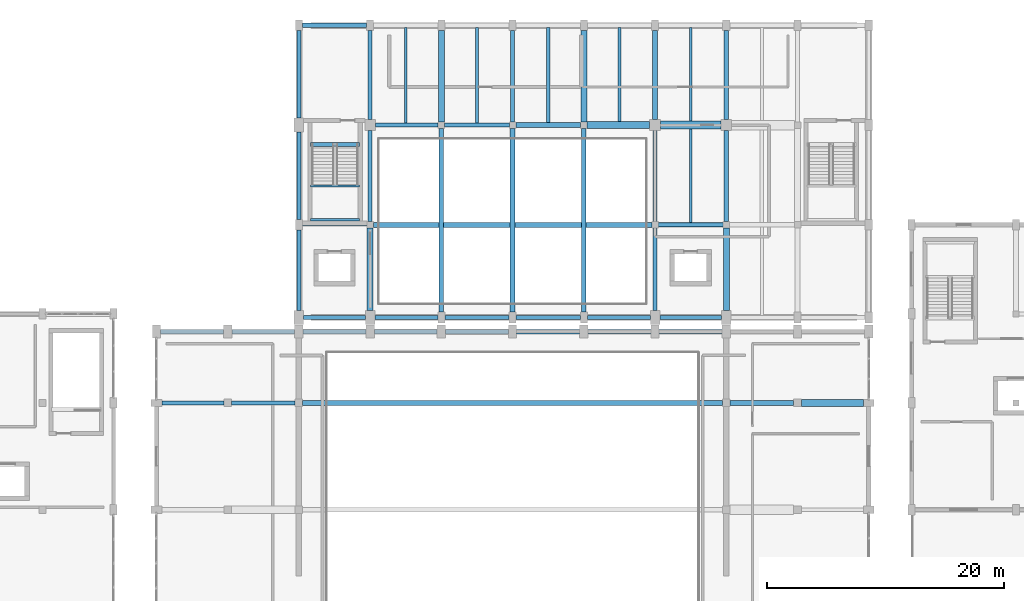
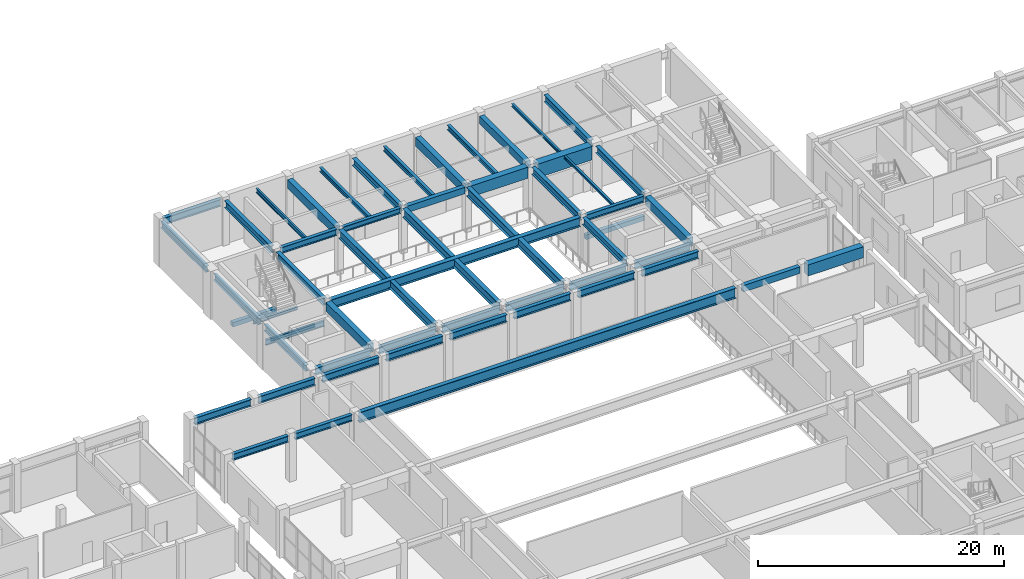
# One storey, part 26 of 62: 56 beams.
"""IFC4 building model written with IfcOpenShell, lengths in metres."""

from ifc_helpers import new_model, si_unit, direction, frame, origin, origin_2d, place, context, subcontext, project, spatial, rectangle, i_section, extrude, material, material_profile, profile_set, type_object, element, save


model = new_model("IFC4")

# Units and contexts
model_context = context("Model", 3, precision=1e-05, world=origin(), true_north=direction((0.0, 1.0)))
body_context = subcontext(model_context, "Body", "Model", "MODEL_VIEW")
ifc_project = project(units=[si_unit("LENGTHUNIT", "METRE"), si_unit("AREAUNIT", "SQUARE_METRE"), si_unit("VOLUMEUNIT", "CUBIC_METRE"), si_unit("PLANEANGLEUNIT", "RADIAN"), si_unit("MASSUNIT", "GRAM", prefix="KILO")], contexts=[model_context])

# Site, building, storey
site_placement = place(None, origin())
site = spatial("IfcSite", under=ifc_project, at=site_placement, CompositionType="ELEMENT")
building_placement = place(site_placement, origin())
building = spatial("IfcBuilding", under=site, at=building_placement, Name="Vaelkrest Opera House", CompositionType="ELEMENT")
storey_placement = place(building_placement, frame((0.0, 0.0, 19.800048828125)))
storey = spatial("IfcBuildingStorey", under=building, at=storey_placement, Name="L04", CompositionType="ELEMENT", Elevation=19.800048828125)

# Beams
ifc_material_1 = material(Name="Concrete C50/60", Category="concrete")
ifc_material_profile_1 = material_profile(ifc_material_1, rectangle(XDim=0.39990234375, YDim=0.64990234375, at=origin_2d()), Name="RCB400X650")
ifc_profile_set_1 = profile_set([ifc_material_profile_1], Name="Concrete C50/60")
beam_type_1 = type_object("IfcBeamType", Name="B01", PredefinedType="BEAM", material=ifc_profile_set_1)
beam_1_placement = place(storey_placement, frame((18.324951171875, 10.199951171875, 4.179931640625), z_axis=(1.0, 0.0, 0.0), x_axis=(0.0, 1.0, 0.0)))
element("IfcBeam", 1, at=beam_1_placement, inside=storey, type_object=beam_type_1, Name="Beam BM-V1-L04-0565", PredefinedType="BEAM", context=body_context, shape_type="SweptSolid", body=[
    extrude(rectangle(XDim=0.39990234375, YDim=0.64990234375, at=origin_2d()), origin(), (0.0, 0.0, 1.0), 5.35009765625),
])
beam_2_placement = place(storey_placement, frame((0.27490234375, 33.60009765625, 4.179931640625), z_axis=(1.0, 0.0, 0.0), x_axis=(0.0, 1.0, 0.0)))
element("IfcBeam", 2, at=beam_2_placement, inside=storey, type_object=beam_type_1, Name="Beam BM-V2-L04-1101", PredefinedType="BEAM", context=body_context, shape_type="SweptSolid", body=[
    extrude(rectangle(XDim=0.39990234375, YDim=0.64990234375, at=origin_2d()), origin(), (0.0, 0.0, 1.0), 5.4501953125),
])
ifc_material_profile_2 = material_profile(ifc_material_1, rectangle(XDim=0.449951171875, YDim=0.75, at=origin_2d()), Name="RCB450X750")
ifc_profile_set_2 = profile_set([ifc_material_profile_2], Name="Concrete C50/60")
beam_type_2 = type_object("IfcBeamType", Name="B02", PredefinedType="BEAM", material=ifc_profile_set_2)
beam_3_placement = place(storey_placement, frame((12.0, 34.050048828125, 4.1298828125), z_axis=(0.0, 1.0, 0.0), x_axis=(-1.0, 0.0, 0.0)))
element("IfcBeam", 3, at=beam_3_placement, inside=storey, type_object=beam_type_2, Name="Beam BM-V2-L04-1127", PredefinedType="BEAM", context=body_context, shape_type="SweptSolid", body=[
    extrude(rectangle(XDim=0.449951171875, YDim=0.75, at=origin_2d()), origin(), (0.0, 0.0, 1.0), 7.5),
])
ifc_material_profile_3 = material_profile(ifc_material_1, rectangle(XDim=0.5, YDim=0.85009765625, at=origin_2d()), Name="RCB500X850")
ifc_profile_set_3 = profile_set([ifc_material_profile_3], Name="Concrete C50/60")
beam_type_3 = type_object("IfcBeamType", Name="B03", PredefinedType="BEAM", material=ifc_profile_set_3)
beam_4_placement = place(storey_placement, frame((-12.0, 18.0, 4.079833984375), z_axis=(0.0, 1.0, 0.0), x_axis=(-1.0, 0.0, 0.0)))
element("IfcBeam", 4, at=beam_4_placement, inside=storey, type_object=beam_type_3, Name="Beam BM-V2-L04-1116", PredefinedType="BEAM", context=body_context, shape_type="SweptSolid", body=[
    extrude(rectangle(XDim=0.5, YDim=0.85009765625, at=origin_2d()), origin(), (0.0, 0.0, 1.0), 6.925048828125),
])
for number, where, z_axis, x_axis, name in (
    (5, (-6.0, 33.875, 4.079833984375), (0.0, 1.0, 0.0), (-1.0, 0.0, 0.0), "Beam BM-V2-L04-1120"),
    (6, (6.0, 33.875, 4.079833984375), (0.0, 1.0, 0.0), (-1.0, 0.0, 0.0), "Beam BM-V2-L04-1124"),
):
    element("IfcBeam", number, at=place(storey_placement, frame(where, z_axis=z_axis, x_axis=x_axis)), inside=storey, type_object=beam_type_3, Name=name, PredefinedType="BEAM", context=body_context, shape_type="SweptSolid", body=[
        extrude(rectangle(XDim=0.5, YDim=0.85009765625, at=origin_2d()), origin(), (0.0, 0.0, 1.0), 7.675048828125),
    ])
beam_5_placement = place(storey_placement, frame((18.0, 18.0, 4.079833984375), z_axis=(0.0, 1.0, 0.0), x_axis=(-1.0, 0.0, 0.0)))
element("IfcBeam", 7, at=beam_5_placement, inside=storey, type_object=beam_type_3, Name="Beam BM-V2-L04-1128", PredefinedType="BEAM", context=body_context, shape_type="SweptSolid", body=[
    extrude(rectangle(XDim=0.5, YDim=0.85009765625, at=origin_2d()), origin(), (0.0, 0.0, 1.0), 6.925048828125),
])
ifc_material_profile_4 = material_profile(ifc_material_1, rectangle(XDim=0.60009765625, YDim=1.10009765625, at=origin_2d()), Name="RCB600X1100")
ifc_profile_set_4 = profile_set([ifc_material_profile_4], Name="Concrete C50/60")
beam_type_4 = type_object("IfcBeamType", Name="B05", PredefinedType="BEAM", material=ifc_profile_set_4)
beam_6_placement = place(storey_placement, frame((24.324951171875, 10.199951171875, 3.954833984375), z_axis=(1.0, 0.0, 0.0), x_axis=(0.0, 1.0, 0.0)))
element("IfcBeam", 8, at=beam_6_placement, inside=storey, type_object=beam_type_4, Name="Beam BM-V1-L04-0566", PredefinedType="BEAM", context=body_context, shape_type="SweptSolid", body=[
    extrude(rectangle(XDim=0.60009765625, YDim=1.10009765625, at=origin_2d()), origin(), (0.0, 0.0, 1.0), 5.22509765625),
])
beam_7_placement = place(storey_placement, frame((6.27490234375, 33.60009765625, 3.954833984375), z_axis=(1.0, 0.0, 0.0), x_axis=(0.0, 1.0, 0.0)))
element("IfcBeam", 9, at=beam_7_placement, inside=storey, type_object=beam_type_4, Name="Beam BM-V2-L04-1102", PredefinedType="BEAM", context=body_context, shape_type="SweptSolid", body=[
    extrude(rectangle(XDim=0.60009765625, YDim=1.10009765625, at=origin_2d()), origin(), (0.0, 0.0, 1.0), 5.275146484375),
])
ifc_material_profile_5 = material_profile(ifc_material_1, rectangle(XDim=0.699951171875, YDim=1.35009765625, at=origin_2d()), Name="RCB700X1350")
ifc_profile_set_5 = profile_set([ifc_material_profile_5], Name="Concrete C50/60")
beam_type_5 = type_object("IfcBeamType", Name="B06", PredefinedType="BEAM", material=ifc_profile_set_5)
beam_8_placement = place(storey_placement, frame((12.449951171875, 33.60009765625, 3.829833984375), z_axis=(1.0, 0.0, 0.0), x_axis=(0.0, 1.0, 0.0)))
element("IfcBeam", 10, at=beam_8_placement, inside=storey, type_object=beam_type_5, Name="Beam BM-V2-L04-1103", PredefinedType="BEAM", context=body_context, shape_type="SweptSolid", body=[
    extrude(rectangle(XDim=0.699951171875, YDim=1.35009765625, at=origin_2d()), origin(), (0.0, 0.0, 1.0), 5.10009765625),
])
ifc_material_2 = material(Name="Steel A992 Gr50", Category="steel")
ifc_material_profile_6 = material_profile(ifc_material_2, i_section(OverallWidth=0.323974609375, OverallDepth=0.611083984375, WebThickness=0.0126953125, FlangeThickness=0.01904296875, at=origin_2d()), Name="W24X104")
ifc_profile_set_6 = profile_set([ifc_material_profile_6], Name="Steel A992 Gr50")
beam_type_6 = type_object("IfcBeamType", Name="B08", PredefinedType="BEAM", material=ifc_profile_set_6)
beam_9_placement = place(storey_placement, frame((12.27490234375, 25.199951171875, 4.199462890625), z_axis=(1.0, 0.0, 0.0), x_axis=(0.0, 1.0, 0.0)))
element("IfcBeam", 11, at=beam_9_placement, inside=storey, type_object=beam_type_6, Name="Beam BM-V2-L04-1097", PredefinedType="BEAM", context=body_context, shape_type="SweptSolid", body=[
    extrude(i_section(OverallWidth=0.323974609375, OverallDepth=0.611083984375, WebThickness=0.0126953125, FlangeThickness=0.01904296875, at=origin_2d()), origin(), (0.0, 0.0, 1.0), 5.4501953125),
])
ifc_material_profile_7 = material_profile(ifc_material_2, i_section(OverallWidth=0.327880859375, OverallDepth=0.6279296875, WebThickness=0.0166015625, FlangeThickness=0.027587890625, at=origin_2d()), Name="W24X146")
ifc_profile_set_7 = profile_set([ifc_material_profile_7], Name="Steel A992 Gr50")
beam_type_7 = type_object("IfcBeamType", Name="B09", PredefinedType="BEAM", material=ifc_profile_set_7)
beam_10_placement = place(storey_placement, frame((-29.550048828125, 10.199951171875, 4.19091796875), z_axis=(1.0, 0.0, 0.0), x_axis=(0.0, 1.0, 0.0)))
element("IfcBeam", 12, at=beam_10_placement, inside=storey, type_object=beam_type_7, Name="Beam BM-V1-L04-0562", PredefinedType="BEAM", context=body_context, shape_type="SweptSolid", body=[
    extrude(i_section(OverallWidth=0.327880859375, OverallDepth=0.6279296875, WebThickness=0.0166015625, FlangeThickness=0.027587890625, at=origin_2d()), origin(), (0.0, 0.0, 1.0), 5.22509765625),
])
ifc_material_profile_8 = material_profile(ifc_material_2, i_section(OverallWidth=0.35498046875, OverallDepth=0.695068359375, WebThickness=0.015380859375, FlangeThickness=0.02490234375, at=origin_2d()), Name="W27X146")
ifc_profile_set_8 = profile_set([ifc_material_profile_8], Name="Steel A992 Gr50")
beam_type_8 = type_object("IfcBeamType", Name="B10", PredefinedType="BEAM", material=ifc_profile_set_8)
beam_11_placement = place(storey_placement, frame((-12.0, 25.47509765625, 4.157470703125), z_axis=(0.0, 1.0, 0.0), x_axis=(-1.0, 0.0, 0.0)))
element("IfcBeam", 13, at=beam_11_placement, inside=storey, type_object=beam_type_8, Name="Beam BM-V2-L04-1117", PredefinedType="BEAM", context=body_context, shape_type="SweptSolid", body=[
    extrude(i_section(OverallWidth=0.35498046875, OverallDepth=0.695068359375, WebThickness=0.015380859375, FlangeThickness=0.02490234375, at=origin_2d()), origin(), (0.0, 0.0, 1.0), 7.6748046875),
])
beam_12_placement = place(storey_placement, frame((12.0, 18.0, 4.157470703125), z_axis=(0.0, 1.0, 0.0), x_axis=(-1.0, 0.0, 0.0)))
element("IfcBeam", 14, at=beam_12_placement, inside=storey, type_object=beam_type_8, Name="Beam BM-V2-L04-1125", PredefinedType="BEAM", context=body_context, shape_type="SweptSolid", body=[
    extrude(i_section(OverallWidth=0.35498046875, OverallDepth=0.695068359375, WebThickness=0.015380859375, FlangeThickness=0.02490234375, at=origin_2d()), origin(), (0.0, 0.0, 1.0), 6.925048828125),
])
beam_13_placement = place(storey_placement, frame((18.0, 25.47509765625, 4.157470703125), z_axis=(0.0, 1.0, 0.0), x_axis=(-1.0, 0.0, 0.0)))
element("IfcBeam", 15, at=beam_13_placement, inside=storey, type_object=beam_type_8, Name="Beam BM-V2-L04-1129", PredefinedType="BEAM", context=body_context, shape_type="SweptSolid", body=[
    extrude(i_section(OverallWidth=0.35498046875, OverallDepth=0.695068359375, WebThickness=0.015380859375, FlangeThickness=0.02490234375, at=origin_2d()), origin(), (0.0, 0.0, 1.0), 7.6748046875),
])
ifc_material_profile_9 = material_profile(ifc_material_2, i_section(OverallWidth=0.39892578125, OverallDepth=0.85498046875, WebThickness=0.018310546875, FlangeThickness=0.029296875, at=origin_2d()), Name="W33X201")
ifc_profile_set_9 = profile_set([ifc_material_profile_9], Name="Steel A992 Gr50")
beam_type_9 = type_object("IfcBeamType", Name="B12", PredefinedType="BEAM", material=ifc_profile_set_9)
for number, where, z_axis, x_axis, name in (
    (16, (-6.0, 17.85009765625, 4.077392578125), (0.0, 1.0, 0.0), (-1.0, 0.0, 0.0), "Beam BM-V2-L04-1119"),
    (17, (0.0, 17.85009765625, 4.077392578125), (0.0, 1.0, 0.0), (-1.0, 0.0, 0.0), "Beam BM-V2-L04-1121"),
    (18, (6.0, 17.85009765625, 4.077392578125), (0.0, 1.0, 0.0), (-1.0, 0.0, 0.0), "Beam BM-V2-L04-1123"),
):
    element("IfcBeam", number, at=place(storey_placement, frame(where, z_axis=z_axis, x_axis=x_axis)), inside=storey, type_object=beam_type_9, Name=name, PredefinedType="BEAM", context=body_context, shape_type="SweptSolid", body=[
        extrude(i_section(OverallWidth=0.39892578125, OverallDepth=0.85498046875, WebThickness=0.018310546875, FlangeThickness=0.029296875, at=origin_2d()), origin(), (0.0, 0.0, 1.0), 15.474853515625),
    ])
ifc_material_profile_10 = material_profile(ifc_material_2, i_section(OverallWidth=0.41796875, OverallDepth=0.927001953125, WebThickness=0.019287109375, FlangeThickness=0.031982421875, at=origin_2d()), Name="W36X231")
ifc_profile_set_10 = profile_set([ifc_material_profile_10], Name="Steel A992 Gr50")
beam_type_10 = type_object("IfcBeamType", Name="B13", PredefinedType="BEAM", material=ifc_profile_set_10)
beam_14_placement = place(storey_placement, frame((-11.72509765625, 25.199951171875, 4.04150390625), z_axis=(1.0, 0.0, 0.0), x_axis=(0.0, 1.0, 0.0)))
element("IfcBeam", 19, at=beam_14_placement, inside=storey, type_object=beam_type_10, Name="Beam BM-V2-L04-1096", PredefinedType="BEAM", context=body_context, shape_type="SweptSolid", body=[
    extrude(i_section(OverallWidth=0.41796875, OverallDepth=0.927001953125, WebThickness=0.019287109375, FlangeThickness=0.031982421875, at=origin_2d()), origin(), (0.0, 0.0, 1.0), 23.4501953125),
])
ifc_material_profile_11 = material_profile(ifc_material_2, i_section(OverallWidth=0.35791015625, OverallDepth=0.7060546875, WebThickness=0.018310546875, FlangeThickness=0.0302734375, at=origin_2d()), Name="W27X178")
ifc_profile_set_11 = profile_set([ifc_material_profile_11], Name="Steel A992 Gr50")
beam_type_11 = type_object("IfcBeamType", Name="B14", PredefinedType="BEAM", material=ifc_profile_set_11)
beam_15_placement = place(storey_placement, frame((-12.0, 34.050048828125, 4.15185546875), z_axis=(0.0, 1.0, 0.0), x_axis=(-1.0, 0.0, 0.0)))
element("IfcBeam", 20, at=beam_15_placement, inside=storey, type_object=beam_type_11, Name="Beam BM-V2-L04-1118", PredefinedType="BEAM", context=body_context, shape_type="SweptSolid", body=[
    extrude(i_section(OverallWidth=0.35791015625, OverallDepth=0.7060546875, WebThickness=0.018310546875, FlangeThickness=0.0302734375, at=origin_2d()), origin(), (0.0, 0.0, 1.0), 7.5),
])
beam_16_placement = place(storey_placement, frame((0.0, 33.875, 4.15185546875), z_axis=(0.0, 1.0, 0.0), x_axis=(-1.0, 0.0, 0.0)))
element("IfcBeam", 21, at=beam_16_placement, inside=storey, type_object=beam_type_11, Name="Beam BM-V2-L04-1122", PredefinedType="BEAM", context=body_context, shape_type="SweptSolid", body=[
    extrude(i_section(OverallWidth=0.35791015625, OverallDepth=0.7060546875, WebThickness=0.018310546875, FlangeThickness=0.0302734375, at=origin_2d()), origin(), (0.0, 0.0, 1.0), 7.675048828125),
])
beam_17_placement = place(storey_placement, frame((12.0, 25.47509765625, 4.15185546875), z_axis=(0.0, 1.0, 0.0), x_axis=(-1.0, 0.0, 0.0)))
element("IfcBeam", 22, at=beam_17_placement, inside=storey, type_object=beam_type_11, Name="Beam BM-V2-L04-1126", PredefinedType="BEAM", context=body_context, shape_type="SweptSolid", body=[
    extrude(i_section(OverallWidth=0.35791015625, OverallDepth=0.7060546875, WebThickness=0.018310546875, FlangeThickness=0.0302734375, at=origin_2d()), origin(), (0.0, 0.0, 1.0), 7.6748046875),
])
beam_18_placement = place(storey_placement, frame((18.0, 34.050048828125, 4.15185546875), z_axis=(0.0, 1.0, 0.0), x_axis=(-1.0, 0.0, 0.0)))
element("IfcBeam", 23, at=beam_18_placement, inside=storey, type_object=beam_type_11, Name="Beam BM-V2-L04-1130", PredefinedType="BEAM", context=body_context, shape_type="SweptSolid", body=[
    extrude(i_section(OverallWidth=0.35791015625, OverallDepth=0.7060546875, WebThickness=0.018310546875, FlangeThickness=0.0302734375, at=origin_2d()), origin(), (0.0, 0.0, 1.0), 7.5),
])
ifc_material_profile_12 = material_profile(ifc_material_2, i_section(OverallWidth=0.39990234375, OverallDepth=1.02197265625, WebThickness=0.01904296875, FlangeThickness=0.0361328125, at=origin_2d()), Name="W40X249")
ifc_profile_set_12 = profile_set([ifc_material_profile_12], Name="Steel A992 Gr50")
beam_type_12 = type_object("IfcBeamType", Name="B15", PredefinedType="BEAM", material=ifc_profile_set_12)
beam_19_placement = place(storey_placement, frame((-17.675048828125, 10.199951171875, 3.993896484375), z_axis=(1.0, 0.0, 0.0), x_axis=(0.0, 1.0, 0.0)))
element("IfcBeam", 24, at=beam_19_placement, inside=storey, type_object=beam_type_12, Name="Beam BM-V1-L04-0564", PredefinedType="BEAM", context=body_context, shape_type="SweptSolid", body=[
    extrude(i_section(OverallWidth=0.39990234375, OverallDepth=1.02197265625, WebThickness=0.01904296875, FlangeThickness=0.0361328125, at=origin_2d()), origin(), (0.0, 0.0, 1.0), 35.35009765625),
])
ifc_material_profile_13 = material_profile(ifc_material_2, i_section(OverallWidth=0.326904296875, OverallDepth=0.6220703125, WebThickness=0.015380859375, FlangeThickness=0.0244140625, at=origin_2d()), Name="W24X131")
ifc_profile_set_13 = profile_set([ifc_material_profile_13], Name="Steel A992 Gr50")
beam_type_13 = type_object("IfcBeamType", Name="B19", PredefinedType="BEAM", material=ifc_profile_set_13)
beam_20_placement = place(storey_placement, frame((-23.675048828125, 10.199951171875, 4.19384765625), z_axis=(1.0, 0.0, 0.0), x_axis=(0.0, 1.0, 0.0)))
element("IfcBeam", 25, at=beam_20_placement, inside=storey, type_object=beam_type_13, Name="Beam BM-V1-L04-0563", PredefinedType="BEAM", context=body_context, shape_type="SweptSolid", body=[
    extrude(i_section(OverallWidth=0.326904296875, OverallDepth=0.6220703125, WebThickness=0.015380859375, FlangeThickness=0.0244140625, at=origin_2d()), origin(), (0.0, 0.0, 1.0), 5.35009765625),
])
beam_21_placement = place(storey_placement, frame((-11.550048828125, 33.60009765625, 4.19384765625), z_axis=(1.0, 0.0, 0.0), x_axis=(0.0, 1.0, 0.0)))
element("IfcBeam", 26, at=beam_21_placement, inside=storey, type_object=beam_type_13, Name="Beam BM-V2-L04-1099", PredefinedType="BEAM", context=body_context, shape_type="SweptSolid", body=[
    extrude(i_section(OverallWidth=0.326904296875, OverallDepth=0.6220703125, WebThickness=0.015380859375, FlangeThickness=0.0244140625, at=origin_2d()), origin(), (0.0, 0.0, 1.0), 5.275146484375),
])
ifc_material_profile_14 = material_profile(ifc_material_2, i_section(OverallWidth=0.31494140625, OverallDepth=0.551025390625, WebThickness=0.01513671875, FlangeThickness=0.0244140625, at=origin_2d()), Name="W21X122")
ifc_profile_set_14 = profile_set([ifc_material_profile_14], Name="Steel A992 Gr50")
beam_type_14 = type_object("IfcBeamType", Name="B20", PredefinedType="BEAM", material=ifc_profile_set_14)
beam_22_placement = place(storey_placement, frame((-5.72509765625, 33.60009765625, 4.2294921875), z_axis=(1.0, 0.0, 0.0), x_axis=(0.0, 1.0, 0.0)))
element("IfcBeam", 27, at=beam_22_placement, inside=storey, type_object=beam_type_14, Name="Beam BM-V2-L04-1100", PredefinedType="BEAM", context=body_context, shape_type="SweptSolid", body=[
    extrude(i_section(OverallWidth=0.31494140625, OverallDepth=0.551025390625, WebThickness=0.01513671875, FlangeThickness=0.0244140625, at=origin_2d()), origin(), (0.0, 0.0, 1.0), 5.4501953125),
])
ifc_material_profile_15 = material_profile(ifc_material_2, i_section(OverallWidth=0.2041015625, OverallDepth=0.257080078125, WebThickness=0.0087890625, FlangeThickness=0.015625, at=origin_2d()), Name="W10X45")
ifc_profile_set_15 = profile_set([ifc_material_profile_15], Name="Steel A992 Gr50")
beam_type_15 = type_object("IfcBeamType", Name="J01", PredefinedType="JOIST", material=ifc_profile_set_15)
beam_23_placement = place(storey_placement, frame((15.0, 25.362060546875, 4.37646484375), z_axis=(0.0, 1.0, 0.0), x_axis=(-1.0, 0.0, 0.0)))
element("IfcBeam", 28, at=beam_23_placement, inside=storey, type_object=beam_type_15, Name="Floor joist JST-V2-L04-1141", PredefinedType="JOIST", context=body_context, shape_type="SweptSolid", body=[
    extrude(i_section(OverallWidth=0.2041015625, OverallDepth=0.257080078125, WebThickness=0.0087890625, FlangeThickness=0.015625, at=origin_2d()), origin(), (0.0, 0.0, 1.0), 7.887939453125),
])
ifc_material_profile_16 = material_profile(ifc_material_2, i_section(OverallWidth=0.202880859375, OverallDepth=0.302978515625, WebThickness=0.007568359375, FlangeThickness=0.01318359375, at=origin_2d()), Name="W12X40")
ifc_profile_set_16 = profile_set([ifc_material_profile_16], Name="Steel A992 Gr50")
beam_type_16 = type_object("IfcBeamType", Name="J02", PredefinedType="JOIST", material=ifc_profile_set_16)
beam_24_placement = place(storey_placement, frame((15.0, 33.949951171875, 4.353515625), z_axis=(0.0, 1.0, 0.0), x_axis=(-1.0, 0.0, 0.0)))
element("IfcBeam", 29, at=beam_24_placement, inside=storey, type_object=beam_type_16, Name="Floor joist JST-V2-L04-1142", PredefinedType="JOIST", context=body_context, shape_type="SweptSolid", body=[
    extrude(i_section(OverallWidth=0.202880859375, OverallDepth=0.302978515625, WebThickness=0.007568359375, FlangeThickness=0.01318359375, at=origin_2d()), origin(), (0.0, 0.0, 1.0), 7.87255859375),
])
for number, where, z_axis, x_axis, name in (
    (30, (-17.02001953125, 25.6201171875, 2.04833984375), (1.0, 0.0, 0.0), (0.0, 1.0, 0.0), "Stair landing bearer beam ST05 L04-1N"),
    (31, (-17.02001953125, 28.469970703125, 2.04833984375), (1.0, 0.0, 0.0), (0.0, 1.0, 0.0), "Stair landing bearer beam ST05 L04-1F"),
):
    element("IfcBeam", number, at=place(storey_placement, frame(where, z_axis=z_axis, x_axis=x_axis)), inside=storey, type_object=beam_type_16, Name=name, PredefinedType="JOIST", context=body_context, shape_type="SweptSolid", body=[
        extrude(i_section(OverallWidth=0.202880859375, OverallDepth=0.302978515625, WebThickness=0.007568359375, FlangeThickness=0.01318359375, at=origin_2d()), origin(), (0.0, 0.0, 1.0), 4.14013671875),
    ])
ifc_material_profile_17 = material_profile(ifc_material_2, i_section(OverallWidth=0.180908203125, OverallDepth=0.4169921875, WebThickness=0.010986328125, FlangeThickness=0.018310546875, at=origin_2d()), Name="W16X57")
ifc_profile_set_17 = profile_set([ifc_material_profile_17], Name="Steel A992 Gr50")
beam_type_17 = type_object("IfcBeamType", Name="J07", PredefinedType="JOIST", material=ifc_profile_set_17)
beam_25_placement = place(storey_placement, frame((-9.0, 33.763427734375, 4.29638671875), z_axis=(0.0, 1.0, 0.0), x_axis=(-1.0, 0.0, 0.0)))
element("IfcBeam", 32, at=beam_25_placement, inside=storey, type_object=beam_type_17, Name="Floor joist JST-V2-L04-1137", PredefinedType="JOIST", context=body_context, shape_type="SweptSolid", body=[
    extrude(i_section(OverallWidth=0.180908203125, OverallDepth=0.4169921875, WebThickness=0.010986328125, FlangeThickness=0.018310546875, at=origin_2d()), origin(), (0.0, 0.0, 1.0), 8.05908203125),
])
ifc_material_profile_18 = material_profile(ifc_material_2, i_section(OverallWidth=0.261962890625, OverallDepth=0.4189453125, WebThickness=0.01171875, FlangeThickness=0.019287109375, at=origin_2d()), Name="W16X77")
ifc_profile_set_18 = profile_set([ifc_material_profile_18], Name="Steel A992 Gr50")
beam_type_18 = type_object("IfcBeamType", Name="J08", PredefinedType="JOIST", material=ifc_profile_set_18)
beam_26_placement = place(storey_placement, frame((-3.0, 33.757568359375, 4.29541015625), z_axis=(0.0, 1.0, 0.0), x_axis=(-1.0, 0.0, 0.0)))
element("IfcBeam", 33, at=beam_26_placement, inside=storey, type_object=beam_type_18, Name="Floor joist JST-V2-L04-1138", PredefinedType="JOIST", context=body_context, shape_type="SweptSolid", body=[
    extrude(i_section(OverallWidth=0.261962890625, OverallDepth=0.4189453125, WebThickness=0.01171875, FlangeThickness=0.019287109375, at=origin_2d()), origin(), (0.0, 0.0, 1.0), 8.06494140625),
])
ifc_material_profile_19 = material_profile(ifc_material_2, i_section(OverallWidth=0.280029296875, OverallDepth=0.462890625, WebThickness=0.0107421875, FlangeThickness=0.017333984375, at=origin_2d()), Name="W18X76")
ifc_profile_set_19 = profile_set([ifc_material_profile_19], Name="Steel A992 Gr50")
beam_type_19 = type_object("IfcBeamType", Name="J09", PredefinedType="JOIST", material=ifc_profile_set_19)
beam_27_placement = place(storey_placement, frame((3.0, 33.800048828125, 4.2734375), z_axis=(0.0, 1.0, 0.0), x_axis=(-1.0, 0.0, 0.0)))
element("IfcBeam", 34, at=beam_27_placement, inside=storey, type_object=beam_type_19, Name="Floor joist JST-V2-L04-1139", PredefinedType="JOIST", context=body_context, shape_type="SweptSolid", body=[
    extrude(i_section(OverallWidth=0.280029296875, OverallDepth=0.462890625, WebThickness=0.0107421875, FlangeThickness=0.017333984375, at=origin_2d()), origin(), (0.0, 0.0, 1.0), 8.0224609375),
])
ifc_material_profile_20 = material_profile(ifc_material_2, i_section(OverallWidth=0.282958984375, OverallDepth=0.471923828125, WebThickness=0.013671875, FlangeThickness=0.022216796875, at=origin_2d()), Name="W18X97")
ifc_profile_set_20 = profile_set([ifc_material_profile_20], Name="Steel A992 Gr50")
beam_type_20 = type_object("IfcBeamType", Name="J10", PredefinedType="JOIST", material=ifc_profile_set_20)
beam_28_placement = place(storey_placement, frame((9.0, 33.89990234375, 4.26904296875), z_axis=(0.0, 1.0, 0.0), x_axis=(-1.0, 0.0, 0.0)))
element("IfcBeam", 35, at=beam_28_placement, inside=storey, type_object=beam_type_20, Name="Floor joist JST-V2-L04-1140", PredefinedType="JOIST", context=body_context, shape_type="SweptSolid", body=[
    extrude(i_section(OverallWidth=0.282958984375, OverallDepth=0.471923828125, WebThickness=0.013671875, FlangeThickness=0.022216796875, at=origin_2d()), origin(), (0.0, 0.0, 1.0), 7.922607421875),
])
ifc_material_profile_21 = material_profile(ifc_material_1, rectangle(XDim=0.35009765625, YDim=0.449951171875, at=origin_2d()), Name="RCB350X450")
ifc_profile_set_21 = profile_set([ifc_material_profile_21], Name="Concrete C50/60")
beam_type_21 = type_object("IfcBeamType", Name="LN01", PredefinedType="LINTEL", material=ifc_profile_set_21)
beam_29_placement = place(storey_placement, frame((12.25, 25.199951171875, 2.300048828125), z_axis=(1.0, 0.0, 0.0), x_axis=(0.0, 1.0, 0.0)))
element("IfcBeam", 36, at=beam_29_placement, inside=storey, type_object=beam_type_21, Name="Portal lintel L04-1", PredefinedType="LINTEL", context=body_context, shape_type="SweptSolid", body=[
    extrude(rectangle(XDim=0.35009765625, YDim=0.449951171875, at=origin_2d()), origin(), (0.0, 0.0, 1.0), 5.5),
])
beam_30_placement = place(storey_placement, frame((-17.02001953125, 31.949951171875, -0.22509765625), z_axis=(1.0, 0.0, 0.0), x_axis=(0.0, 1.0, 0.0)))
element("IfcBeam", 37, at=beam_30_placement, inside=storey, type_object=beam_type_21, Name="Stairwell trimmer beam ST05 L04", PredefinedType="LINTEL", context=body_context, shape_type="SweptSolid", body=[
    extrude(rectangle(XDim=0.35009765625, YDim=0.449951171875, at=origin_2d()), origin(), (0.0, 0.0, 1.0), 4.14013671875),
])
ifc_material_profile_22 = material_profile(ifc_material_2, i_section(OverallWidth=0.214111328125, OverallDepth=0.549072265625, WebThickness=0.0146484375, FlangeThickness=0.023681640625, at=origin_2d()), Name="W21X93")
ifc_profile_set_22 = profile_set([ifc_material_profile_22], Name="Steel A992 Gr50")
beam_type_22 = type_object("IfcBeamType", Name="LN03", PredefinedType="LINTEL", material=ifc_profile_set_22)
beam_31_placement = place(storey_placement, frame((-17.75, 25.199951171875, 2.300048828125), z_axis=(1.0, 0.0, 0.0), x_axis=(0.0, 1.0, 0.0)))
element("IfcBeam", 38, at=beam_31_placement, inside=storey, type_object=beam_type_22, Name="Portal lintel L04-3", PredefinedType="LINTEL", context=body_context, shape_type="SweptSolid", body=[
    extrude(i_section(OverallWidth=0.214111328125, OverallDepth=0.549072265625, WebThickness=0.0146484375, FlangeThickness=0.023681640625, at=origin_2d()), origin(), (0.0, 0.0, 1.0), 5.5),
])
ifc_material_profile_23 = material_profile(ifc_material_2, i_section(OverallWidth=0.323974609375, OverallDepth=0.611083984375, WebThickness=0.0126953125, FlangeThickness=0.01904296875, at=origin_2d()), Name="W24X104")
ifc_profile_set_23 = profile_set([ifc_material_profile_23], Name="Steel A992 Gr50")
beam_type_23 = type_object("IfcBeamType", Name="SP01", PredefinedType="SPANDREL", material=ifc_profile_set_23)
beam_32_placement = place(storey_placement, frame((-18.0, 18.0, 4.199462890625), z_axis=(0.0, 1.0, 0.0), x_axis=(-1.0, 0.0, 0.0)))
element("IfcBeam", 39, at=beam_32_placement, inside=storey, type_object=beam_type_23, Name="Beam BM-V2-L04-1113", PredefinedType="SPANDREL", context=body_context, shape_type="SweptSolid", body=[
    extrude(i_section(OverallWidth=0.323974609375, OverallDepth=0.611083984375, WebThickness=0.0126953125, FlangeThickness=0.01904296875, at=origin_2d()), origin(), (0.0, 0.0, 1.0), 6.75),
])
for number, where, z_axis, x_axis, name in (
    (40, (-18.0, 25.64990234375, 4.199462890625), (0.0, 1.0, 0.0), (-1.0, 0.0, 0.0), "Beam BM-V2-L04-1114"),
    (41, (-18.0, 34.199951171875, 4.199462890625), (0.0, 1.0, 0.0), (-1.0, 0.0, 0.0), "Beam BM-V2-L04-1115"),
):
    element("IfcBeam", number, at=place(storey_placement, frame(where, z_axis=z_axis, x_axis=x_axis)), inside=storey, type_object=beam_type_23, Name=name, PredefinedType="SPANDREL", context=body_context, shape_type="SweptSolid", body=[
        extrude(i_section(OverallWidth=0.323974609375, OverallDepth=0.611083984375, WebThickness=0.0126953125, FlangeThickness=0.01904296875, at=origin_2d()), origin(), (0.0, 0.0, 1.0), 7.35009765625),
    ])
ifc_material_profile_24 = material_profile(ifc_material_2, i_section(OverallWidth=0.35498046875, OverallDepth=0.695068359375, WebThickness=0.015380859375, FlangeThickness=0.02490234375, at=origin_2d()), Name="W27X146")
ifc_profile_set_24 = profile_set([ifc_material_profile_24], Name="Steel A992 Gr50")
beam_type_24 = type_object("IfcBeamType", Name="SP02", PredefinedType="SPANDREL", material=ifc_profile_set_24)
for number, where, z_axis, x_axis, name in (
    (42, (-29.64990234375, 16.199951171875, 4.157470703125), (1.0, 0.0, 0.0), (0.0, 1.0, 0.0), "Beam BM-V1-L04-0567"),
    (43, (-23.64990234375, 16.199951171875, 4.157470703125), (1.0, 0.0, 0.0), (0.0, 1.0, 0.0), "Beam BM-V1-L04-0568"),
    (44, (-17.64990234375, 16.199951171875, 4.157470703125), (1.0, 0.0, 0.0), (0.0, 1.0, 0.0), "Beam BM-V1-L04-0569"),
    (45, (-11.64990234375, 16.199951171875, 4.157470703125), (1.0, 0.0, 0.0), (0.0, 1.0, 0.0), "Beam BM-V1-L04-0570"),
    (46, (-5.64990234375, 16.199951171875, 4.157470703125), (1.0, 0.0, 0.0), (0.0, 1.0, 0.0), "Beam BM-V1-L04-0571"),
    (47, (0.35009765625, 16.199951171875, 4.157470703125), (1.0, 0.0, 0.0), (0.0, 1.0, 0.0), "Beam BM-V1-L04-0572"),
    (48, (6.35009765625, 16.199951171875, 4.157470703125), (1.0, 0.0, 0.0), (0.0, 1.0, 0.0), "Beam BM-V1-L04-0573"),
    (49, (12.35009765625, 16.199951171875, 4.157470703125), (1.0, 0.0, 0.0), (0.0, 1.0, 0.0), "Beam BM-V1-L04-0574"),
):
    element("IfcBeam", number, at=place(storey_placement, frame(where, z_axis=z_axis, x_axis=x_axis)), inside=storey, type_object=beam_type_24, Name=name, PredefinedType="SPANDREL", context=body_context, shape_type="SweptSolid", body=[
        extrude(i_section(OverallWidth=0.35498046875, OverallDepth=0.695068359375, WebThickness=0.015380859375, FlangeThickness=0.02490234375, at=origin_2d()), origin(), (0.0, 0.0, 1.0), 5.2998046875),
    ])
beam_33_placement = place(storey_placement, frame((-17.60009765625, 17.39990234375, 4.157470703125), z_axis=(1.0, 0.0, 0.0), x_axis=(0.0, 1.0, 0.0)))
element("IfcBeam", 50, at=beam_33_placement, inside=storey, type_object=beam_type_24, Name="Beam BM-V2-L04-1088", PredefinedType="SPANDREL", context=body_context, shape_type="SweptSolid", body=[
    extrude(i_section(OverallWidth=0.35498046875, OverallDepth=0.695068359375, WebThickness=0.015380859375, FlangeThickness=0.02490234375, at=origin_2d()), origin(), (0.0, 0.0, 1.0), 5.2001953125),
])
beam_34_placement = place(storey_placement, frame((-11.60009765625, 17.39990234375, 4.157470703125), z_axis=(1.0, 0.0, 0.0), x_axis=(0.0, 1.0, 0.0)))
element("IfcBeam", 51, at=beam_34_placement, inside=storey, type_object=beam_type_24, Name="Beam BM-V2-L04-1089", PredefinedType="SPANDREL", context=body_context, shape_type="SweptSolid", body=[
    extrude(i_section(OverallWidth=0.35498046875, OverallDepth=0.695068359375, WebThickness=0.015380859375, FlangeThickness=0.02490234375, at=origin_2d()), origin(), (0.0, 0.0, 1.0), 5.300048828125),
])
for number, where, z_axis, x_axis, name in (
    (52, (-5.699951171875, 17.39990234375, 4.157470703125), (1.0, 0.0, 0.0), (0.0, 1.0, 0.0), "Beam BM-V2-L04-1090"),
    (53, (0.300048828125, 17.39990234375, 4.157470703125), (1.0, 0.0, 0.0), (0.0, 1.0, 0.0), "Beam BM-V2-L04-1091"),
):
    element("IfcBeam", number, at=place(storey_placement, frame(where, z_axis=z_axis, x_axis=x_axis)), inside=storey, type_object=beam_type_24, Name=name, PredefinedType="SPANDREL", context=body_context, shape_type="SweptSolid", body=[
        extrude(i_section(OverallWidth=0.35498046875, OverallDepth=0.695068359375, WebThickness=0.015380859375, FlangeThickness=0.02490234375, at=origin_2d()), origin(), (0.0, 0.0, 1.0), 5.39990234375),
    ])
beam_35_placement = place(storey_placement, frame((6.300048828125, 17.39990234375, 4.157470703125), z_axis=(1.0, 0.0, 0.0), x_axis=(0.0, 1.0, 0.0)))
element("IfcBeam", 54, at=beam_35_placement, inside=storey, type_object=beam_type_24, Name="Beam BM-V2-L04-1092", PredefinedType="SPANDREL", context=body_context, shape_type="SweptSolid", body=[
    extrude(i_section(OverallWidth=0.35498046875, OverallDepth=0.695068359375, WebThickness=0.015380859375, FlangeThickness=0.02490234375, at=origin_2d()), origin(), (0.0, 0.0, 1.0), 5.300048828125),
])
beam_36_placement = place(storey_placement, frame((12.39990234375, 17.39990234375, 4.157470703125), z_axis=(1.0, 0.0, 0.0), x_axis=(0.0, 1.0, 0.0)))
element("IfcBeam", 55, at=beam_36_placement, inside=storey, type_object=beam_type_24, Name="Beam BM-V2-L04-1093", PredefinedType="SPANDREL", context=body_context, shape_type="SweptSolid", body=[
    extrude(i_section(OverallWidth=0.35498046875, OverallDepth=0.695068359375, WebThickness=0.015380859375, FlangeThickness=0.02490234375, at=origin_2d()), origin(), (0.0, 0.0, 1.0), 5.2001953125),
])
beam_37_placement = place(storey_placement, frame((-17.699951171875, 42.0, 4.157470703125), z_axis=(1.0, 0.0, 0.0), x_axis=(0.0, 1.0, 0.0)))
element("IfcBeam", 56, at=beam_37_placement, inside=storey, type_object=beam_type_24, Name="Beam BM-V2-L04-1105", PredefinedType="SPANDREL", context=body_context, shape_type="SweptSolid", body=[
    extrude(i_section(OverallWidth=0.35498046875, OverallDepth=0.695068359375, WebThickness=0.015380859375, FlangeThickness=0.02490234375, at=origin_2d()), origin(), (0.0, 0.0, 1.0), 5.39990234375),
])

save(model, "model.ifc")
